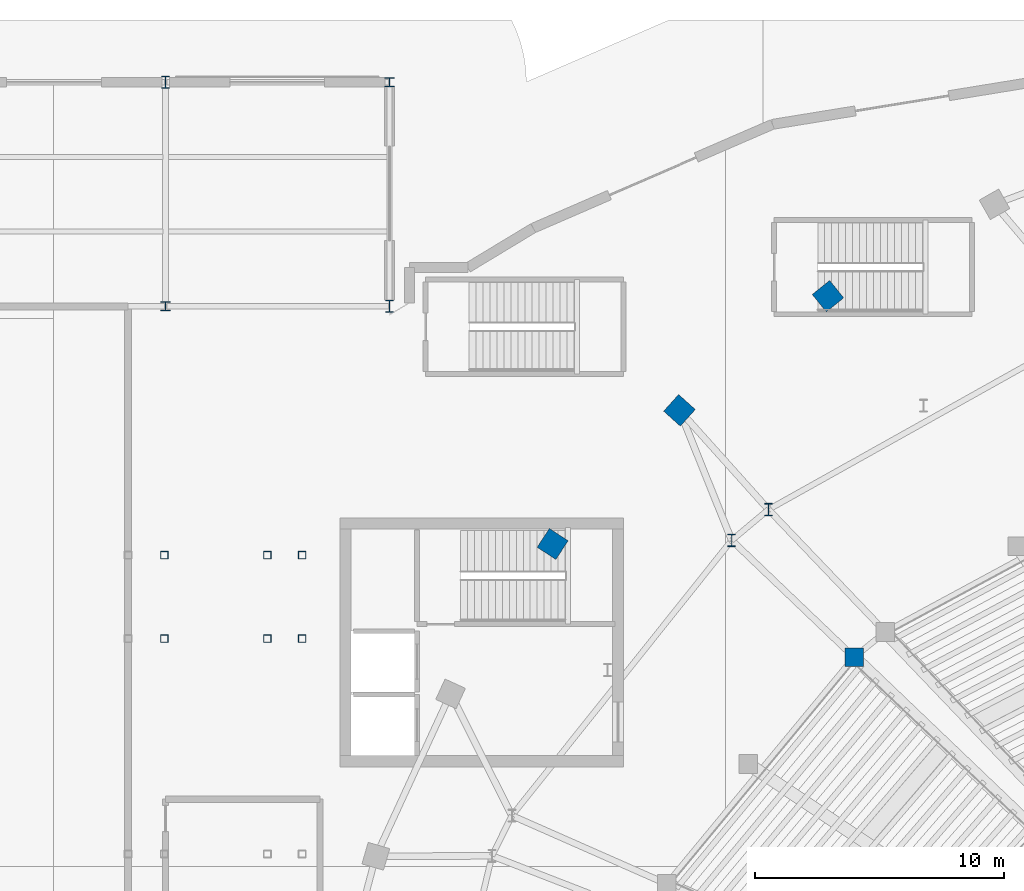
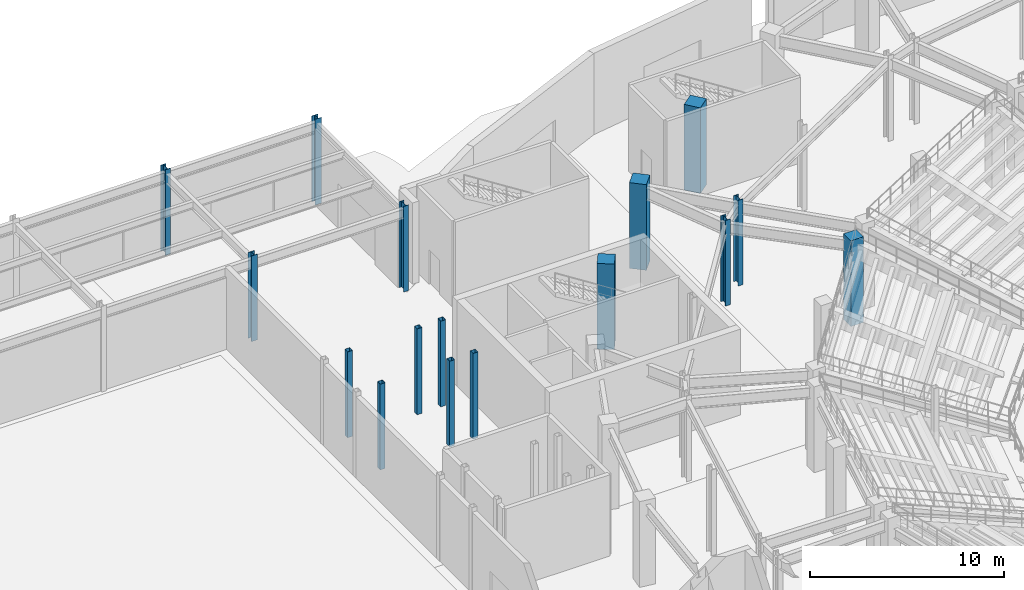
# One storey, part 12 of 79: 16 columns.
"""IFC4 building model written with IfcOpenShell, lengths in metres."""

import ifcopenshell
import ifcopenshell.guid

model = None  # the IFC model being written
_history = None  # IfcOwnerHistory: only IFC2X3 demands one
_inside = {}  # id of a spatial element -> (the spatial element, [elements in it])
_under = {}  # id of a project, library or spatial element -> (it, [spatial elements below it])
_declared = {}  # id of a project -> (the project, [libraries it declares])
_typed = {}  # id of a type object -> (the type object, [elements of that type])
_made_of = {}  # id of a material, layer set ... -> (it, [elements and type objects made of it])


def new_model(schema):
    """Start an empty IFC model of exactly this schema.

    Asked for "IFC4X3", IfcOpenShell would pick the latest addendum, in which some entities
    have other attributes; the version numbers below select the first issue.
    IFC2X3 requires an IfcOwnerHistory on every rooted entity: one is made here for all.
    """
    global model, _history
    if schema == "IFC4X3":
        model = ifcopenshell.file(schema_version=(4, 3, 0, 0))
    else:
        model = ifcopenshell.file(schema=schema)
    _inside.clear()
    _under.clear()
    _declared.clear()
    _typed.clear()
    _made_of.clear()
    _history = None
    if model.schema == "IFC2X3":
        org = make("IfcOrganization", Name="unknown")
        user = make(
            "IfcPersonAndOrganization",
            ThePerson=make("IfcPerson", FamilyName="unknown"),
            TheOrganization=org,
        )
        app = make(
            "IfcApplication",
            ApplicationDeveloper=org,
            Version="unknown",
            ApplicationFullName="unknown",
            ApplicationIdentifier="unknown",
        )
        _history = make(
            "IfcOwnerHistory",
            OwningUser=user,
            OwningApplication=app,
            ChangeAction="ADDED",
            CreationDate=0,
        )
    return model


def make(cls, **values):
    """One entity of the class cls with the attributes given. An attribute that is None is left unset."""
    return model.create_entity(
        cls, **{name: value for name, value in values.items() if value is not None}
    )


def rooted(cls, **values):
    """An entity with a GlobalId (a new one), such as an element, a storey or a relation."""
    return make(cls, GlobalId=ifcopenshell.guid.new(), OwnerHistory=_history, **values)


def si_unit(unit_type, name, prefix=None):
    """IfcSIUnit, for example si_unit("LENGTHUNIT", "METRE", prefix="MILLI")."""
    return make("IfcSIUnit", UnitType=unit_type, Prefix=prefix, Name=name)


def assignment(units):
    """IfcUnitAssignment: the units of a project."""
    return None if units is None else make("IfcUnitAssignment", Units=units)


def point(xyz):
    """IfcCartesianPoint."""
    return None if xyz is None else make("IfcCartesianPoint", Coordinates=xyz)


def direction(xyz):
    """IfcDirection."""
    return None if xyz is None else make("IfcDirection", DirectionRatios=xyz)


def frame(location, z_axis=None, x_axis=None):
    """IfcAxis2Placement3D, a coordinate frame: its origin and axes. An axis left out is left unset."""
    return make(
        "IfcAxis2Placement3D",
        Location=point(location),
        Axis=direction(z_axis),
        RefDirection=direction(x_axis),
    )


def frame_2d(location, x_axis=None):
    """IfcAxis2Placement2D, a coordinate frame in the plane: its origin and x axis."""
    return make(
        "IfcAxis2Placement2D", Location=point(location), RefDirection=direction(x_axis)
    )


def origin():
    """The frame at (0, 0, 0) with its axes left unset."""
    return frame((0.0, 0.0, 0.0))


def origin_2d():
    """The frame at (0, 0) in the plane with its x axis left unset."""
    return frame_2d((0.0, 0.0))


def place(relative_to, where):
    """IfcLocalPlacement: puts the frame where relative to a parent placement (None: the world)."""
    return make(
        "IfcLocalPlacement", PlacementRelTo=relative_to, RelativePlacement=where
    )


def context(
    kind, dimensions, precision=None, world=None, true_north=None, identifier=None
):
    """IfcGeometricRepresentationContext, for example the 3D "Model" context."""
    return make(
        "IfcGeometricRepresentationContext",
        ContextIdentifier=identifier,
        ContextType=kind,
        CoordinateSpaceDimension=dimensions,
        Precision=precision,
        WorldCoordinateSystem=world,
        TrueNorth=true_north,
    )


def subcontext(parent, identifier, kind, view, scale=None):
    """IfcGeometricRepresentationSubContext, for example "Body" below "Model"."""
    return make(
        "IfcGeometricRepresentationSubContext",
        ContextIdentifier=identifier,
        ContextType=kind,
        ParentContext=parent,
        TargetScale=scale,
        TargetView=view,
    )


def project(units=None, contexts=None):
    """IfcProject with its units and contexts."""
    return rooted(
        "IfcProject",
        Name="project",
        RepresentationContexts=contexts,
        UnitsInContext=assignment(units),
    )


def spatial(cls, under=None, at=None, **own):
    """A site, building, storey or space (cls), placed at a placement, below another one or the project."""
    s = rooted(cls, ObjectPlacement=at, **own)
    if under is not None:
        _under.setdefault(under.id(), (under, []))[1].append(s)
    return s


def profile(cls, at=None, kind="AREA", **sizes):
    """A parametric profile (cls). Its sizes go by their IFC names, for example OverallWidth=200.0."""
    return make(cls, ProfileType=kind, Position=at, **sizes)


def rectangle(**sizes):
    """IfcRectangleProfileDef."""
    return profile("IfcRectangleProfileDef", **sizes)


def hollow_rectangle(**sizes):
    """IfcRectangleHollowProfileDef."""
    return profile("IfcRectangleHollowProfileDef", **sizes)


def i_section(**sizes):
    """IfcIShapeProfileDef."""
    return profile("IfcIShapeProfileDef", **sizes)


def extrude(swept, where, along, depth):
    """IfcExtrudedAreaSolid: the profile swept, set in the frame where, extruded along a direction by depth."""
    return make(
        "IfcExtrudedAreaSolid",
        SweptArea=swept,
        Position=where,
        ExtrudedDirection=direction(along),
        Depth=depth,
    )


def shape(context_of_items, identifier, shape_type, items):
    """IfcShapeRepresentation: the items that make up one representation, for example the "Body"."""
    return make(
        "IfcShapeRepresentation",
        ContextOfItems=context_of_items,
        RepresentationIdentifier=identifier,
        RepresentationType=shape_type,
        Items=items,
    )


def material(Name=None, Category=None):
    """IfcMaterial."""
    return make("IfcMaterial", Name=Name, Category=Category)


def material_profile(
    of_material, cross_section, Name=None, Category=None, Priority=None
):
    """IfcMaterialProfile: a cross section and its material."""
    return make(
        "IfcMaterialProfile",
        Name=Name,
        Material=of_material,
        Profile=cross_section,
        Priority=Priority,
        Category=Category,
    )


def profile_set(profiles, Name=None, composite=None):
    """IfcMaterialProfileSet."""
    return make(
        "IfcMaterialProfileSet",
        Name=Name,
        MaterialProfiles=profiles,
        CompositeProfile=composite,
    )


def made_of(thing, what):
    """Note that an element or type object is made of a material, layer set ...; save() writes the relation."""
    if what is not None:
        _made_of.setdefault(what.id(), (what, []))[1].append(thing)
    return thing


def type_object(cls, material=None, **own):
    """A type object (cls), such as IfcWallType, which elements share."""
    return made_of(rooted(cls, **own), material)


def element(
    cls,
    number,
    at=None,
    inside=None,
    cuts=None,
    type_object=None,
    material=None,
    context=None,
    identifier="Body",
    shape_type=None,
    held_by="IfcProductDefinitionShape",
    body=None,
    shapes=None,
    **own,
):
    """One element of the class cls, such as IfcWall. Its Tag is "e" and its number.

    at: its placement. inside: the storey or other place that contains it. cuts: it is an
    opening in that element (IfcRelVoidsElement). A single representation is given by context,
    identifier, shape_type and body (its items); several are given by shapes. held_by: the class
    of the entity that holds the representations. save() writes the other relations.
    """
    e = rooted(cls, Tag="e%d" % number, ObjectPlacement=at, **own)
    if body is not None:
        shapes = [shape(context, identifier, shape_type, body)]
    if shapes is not None:
        e.Representation = make(held_by, Representations=shapes)
    if inside is not None:
        _inside.setdefault(inside.id(), (inside, []))[1].append(e)
    if cuts is not None:
        rooted(
            "IfcRelVoidsElement", RelatingBuildingElement=cuts, RelatedOpeningElement=e
        )
    if type_object is not None:
        _typed.setdefault(type_object.id(), (type_object, []))[1].append(e)
    return made_of(e, material)


def aggregate(whole, parts):
    """IfcRelAggregates: a whole, such as a stair, and the parts it consists of."""
    return rooted("IfcRelAggregates", RelatingObject=whole, RelatedObjects=parts)


def save(model, path):
    """Write the relations noted so far, then the file.

    IfcRelAggregates (storeys below a building ...), IfcRelContainedInSpatialStructure (elements
    in a storey), IfcRelDefinesByType, IfcRelAssociatesMaterial and IfcRelDeclares: one each for
    every whole, place, type object, material and project.
    """
    for whole, parts in _under.values():
        aggregate(whole, parts)
    for where, things in _inside.values():
        rooted(
            "IfcRelContainedInSpatialStructure",
            RelatedElements=things,
            RelatingStructure=where,
        )
    for kind, things in _typed.values():
        rooted("IfcRelDefinesByType", RelatedObjects=things, RelatingType=kind)
    for what, things in _made_of.values():
        rooted("IfcRelAssociatesMaterial", RelatedObjects=things, RelatingMaterial=what)
    for by, libraries in _declared.values():
        rooted("IfcRelDeclares", RelatingContext=by, RelatedDefinitions=libraries)
    model.write(path)


model = new_model("IFC4")

# Units and contexts
model_context = context("Model", 3, precision=1e-05, world=origin(), true_north=direction((0.0, 1.0)))
body_context = subcontext(model_context, "Body", "Model", "MODEL_VIEW")
ifc_project = project(units=[si_unit("LENGTHUNIT", "METRE"), si_unit("AREAUNIT", "SQUARE_METRE"), si_unit("VOLUMEUNIT", "CUBIC_METRE"), si_unit("PLANEANGLEUNIT", "RADIAN"), si_unit("MASSUNIT", "GRAM", prefix="KILO")], contexts=[model_context])

# Site, building, storey
site_placement = place(None, origin())
site = spatial("IfcSite", under=ifc_project, at=site_placement, CompositionType="ELEMENT")
building_placement = place(site_placement, origin())
building = spatial("IfcBuilding", under=site, at=building_placement, Name="Glasvene Arena", CompositionType="ELEMENT")
storey_placement = place(building_placement, origin())
storey = spatial("IfcBuildingStorey", under=building, at=storey_placement, Name="L00", CompositionType="ELEMENT", Elevation=0.0)

# Columns
ifc_material_1 = material(Name="Concrete C40/50", Category="concrete")
ifc_material_profile_1 = material_profile(ifc_material_1, rectangle(XDim=0.89990234375, YDim=0.89990234375, at=origin_2d()), Name="RC 900x900")
ifc_profile_set_1 = profile_set([ifc_material_profile_1], Name="Concrete C40/50")
column_type_1 = type_object("IfcColumnType", Name="COL-BOWL-RC900", PredefinedType="COLUMN", material=ifc_profile_set_1)
for number, where, z_axis, x_axis, name in (
    (1, (62.610595703125, 109.40576171875, 0.0), (0.0, 0.0, 1.0), (-0.628098877137, 0.778133536444, 0.0), "Bowl ring column R15 L00"),
    (2, (56.644775390625, 104.81982421875, 0.0), (0.0, 0.0, 1.0), (-0.74326159948, 0.669000892928, 0.0), "Bowl ring column R16 L00"),
    (3, (51.54931640625, 99.4501953125, 0.0), (0.0, 0.0, 1.0), (-0.836955398099, 0.547271104292, 0.0), "Bowl ring column R17 L00"),
):
    element("IfcColumn", number, at=place(storey_placement, frame(where, z_axis=z_axis, x_axis=x_axis)), inside=storey, type_object=column_type_1, Name=name, PredefinedType="COLUMN", context=body_context, shape_type="SweptSolid", body=[
        extrude(rectangle(XDim=0.89990234375, YDim=0.89990234375, at=origin_2d()), origin(), (0.0, 0.0, 1.0), 5.39990234375),
    ])
ifc_material_profile_2 = material_profile(ifc_material_1, rectangle(XDim=0.75, YDim=0.75, at=origin_2d()), Name="RC 750x750")
ifc_profile_set_2 = profile_set([ifc_material_profile_2], Name="Concrete C40/50")
column_type_2 = type_object("IfcColumnType", Name="COL-MID-RC750", PredefinedType="COLUMN", material=ifc_profile_set_2)
column_placement = place(storey_placement, frame((63.65966796875, 94.90087890625, 0.0), z_axis=(0.0, 0.0, 1.0), x_axis=(1.0, 0.0, 0.0)))
element("IfcColumn", 4, at=column_placement, inside=storey, type_object=column_type_2, Name="Mid-bowl fulcrum column L00 07-1", PredefinedType="COLUMN", context=body_context, shape_type="SweptSolid", body=[
    extrude(rectangle(XDim=0.75, YDim=0.75, at=origin_2d()), origin(), (0.0, 0.0, 1.0), 5.39990234375),
])
ifc_material_2 = material(Name="Steel S355J2", Category="steel")
ifc_material_profile_3 = material_profile(ifc_material_2, i_section(OverallWidth=0.300048828125, OverallDepth=0.5, WebThickness=0.014404296875, FlangeThickness=0.028076171875, FilletRadius=0.027099609375, at=origin_2d()), Name="HEB 500")
ifc_profile_set_3 = profile_set([ifc_material_profile_3], Name="Steel S355J2")
column_type_3 = type_object("IfcColumnType", Name="COL-W-HEB500", PredefinedType="COLUMN", material=ifc_profile_set_3)
for number, where, z_axis, x_axis, name in (
    (5, (60.219482421875, 100.834228515625, 0.0), (0.0, 0.0, 1.0), (1.0, 0.0, 0.0), "Upper raker rear column L00 06-2"),
    (6, (58.743408203125, 99.59912109375, 0.0), (0.0, 0.0, 1.0), (1.0, 0.0, 0.0), "Upper raker rear column L00 07-1"),
    (7, (36.0, 118.0, 0.0), (0.0, 0.0, 1.0), (1.0, 0.0, 0.0), "Grid column 5-14 L00"),
    (8, (45.0, 109.0, 0.0), (0.0, 0.0, 1.0), (1.0, 0.0, 0.0), "Grid column 6-13 L00"),
):
    element("IfcColumn", number, at=place(storey_placement, frame(where, z_axis=z_axis, x_axis=x_axis)), inside=storey, type_object=column_type_3, Name=name, PredefinedType="COLUMN", context=body_context, shape_type="SweptSolid", body=[
        extrude(i_section(OverallWidth=0.300048828125, OverallDepth=0.5, WebThickness=0.014404296875, FlangeThickness=0.028076171875, FilletRadius=0.027099609375, at=origin_2d()), origin(), (0.0, 0.0, 1.0), 5.39990234375),
    ])
ifc_material_profile_4 = material_profile(ifc_material_2, hollow_rectangle(XDim=0.300048828125, YDim=0.300048828125, WallThickness=0.012451171875, at=origin_2d()), Name="SHS 300x300x12.5")
ifc_profile_set_4 = profile_set([ifc_material_profile_4], Name="Steel S355J2")
column_type_4 = type_object("IfcColumnType", Name="COL-W-SHS300", PredefinedType="COLUMN", material=ifc_profile_set_4)
for number, where, z_axis, x_axis, name in (
    (9, (35.949951171875, 95.64990234375, 0.0), (0.0, 0.0, 1.0), (1.0, 0.0, 0.0), "Vomitory arrival support column VOM-06 L00"),
    (10, (35.949951171875, 99.0, 0.0), (0.0, 0.0, 1.0), (1.0, 0.0, 0.0), "Vomitory arrival support column VOM-06 L00"),
    (11, (40.090087890625, 95.64990234375, 0.0), (0.0, 0.0, 1.0), (1.0, 0.0, 0.0), "Vomitory landing column VOM-06 L00"),
    (12, (40.090087890625, 99.0, 0.0), (0.0, 0.0, 1.0), (1.0, 0.0, 0.0), "Vomitory landing column VOM-06 L00"),
    (13, (41.489990234375, 95.64990234375, 0.0), (0.0, 0.0, 1.0), (1.0, 0.0, 0.0), "Vomitory landing column VOM-06 L00"),
    (14, (41.489990234375, 99.0, 0.0), (0.0, 0.0, 1.0), (1.0, 0.0, 0.0), "Vomitory landing column VOM-06 L00"),
):
    element("IfcColumn", number, at=place(storey_placement, frame(where, z_axis=z_axis, x_axis=x_axis)), inside=storey, type_object=column_type_4, Name=name, PredefinedType="COLUMN", context=body_context, shape_type="SweptSolid", body=[
        extrude(hollow_rectangle(XDim=0.300048828125, YDim=0.300048828125, WallThickness=0.012451171875, at=origin_2d()), origin(), (0.0, 0.0, 1.0), 5.39990234375),
    ])
ifc_material_profile_5 = material_profile(ifc_material_2, i_section(OverallWidth=0.37255859375, OverallDepth=0.3681640625, WebThickness=0.014404296875, FlangeThickness=0.023681640625, FilletRadius=0.01513671875, at=origin_2d()), Name="UKC 356x368x177")
ifc_profile_set_5 = profile_set([ifc_material_profile_5], Name="Steel S355J2")
column_type_5 = type_object("IfcColumnType", Name="COL-W-UKC177", PredefinedType="COLUMN", material=ifc_profile_set_5)
for number, where, z_axis, x_axis, name in (
    (15, (36.0, 109.0, 0.0), (0.0, 0.0, 1.0), (1.0, 0.0, 0.0), "Grid column 5-13 L00"),
    (16, (45.0, 118.0, 0.0), (0.0, 0.0, 1.0), (1.0, 0.0, 0.0), "Grid column 6-14 L00"),
):
    element("IfcColumn", number, at=place(storey_placement, frame(where, z_axis=z_axis, x_axis=x_axis)), inside=storey, type_object=column_type_5, Name=name, PredefinedType="COLUMN", context=body_context, shape_type="SweptSolid", body=[
        extrude(i_section(OverallWidth=0.37255859375, OverallDepth=0.3681640625, WebThickness=0.014404296875, FlangeThickness=0.023681640625, FilletRadius=0.01513671875, at=origin_2d()), origin(), (0.0, 0.0, 1.0), 5.39990234375),
    ])

save(model, "model.ifc")
